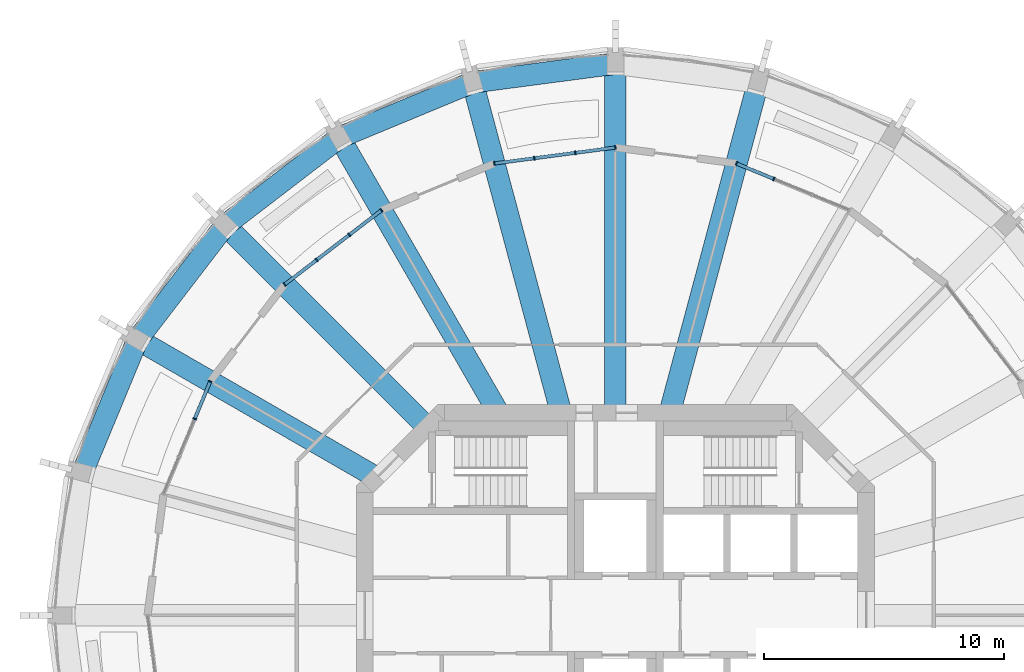
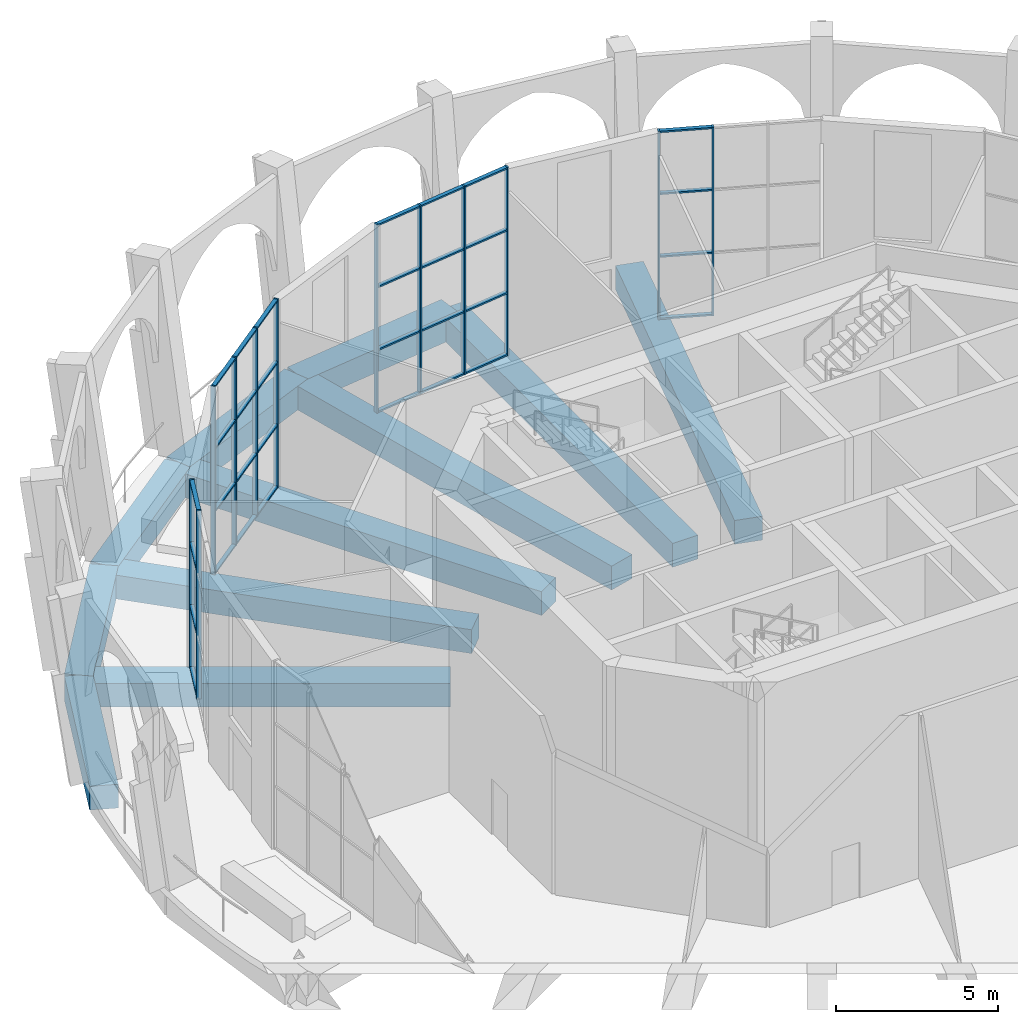
# One storey, part 5 of 16: 44 members, 11 beams, 4 elements without a shape of their own.
"""IFC4 building model written with IfcOpenShell, lengths in metres."""

import ifcopenshell
import ifcopenshell.guid

model = None  # the IFC model being written
_history = None  # IfcOwnerHistory: only IFC2X3 demands one
_inside = {}  # id of a spatial element -> (the spatial element, [elements in it])
_under = {}  # id of a project, library or spatial element -> (it, [spatial elements below it])
_declared = {}  # id of a project -> (the project, [libraries it declares])
_typed = {}  # id of a type object -> (the type object, [elements of that type])
_made_of = {}  # id of a material, layer set ... -> (it, [elements and type objects made of it])


def new_model(schema):
    """Start an empty IFC model of exactly this schema.

    Asked for "IFC4X3", IfcOpenShell would pick the latest addendum, in which some entities
    have other attributes; the version numbers below select the first issue.
    IFC2X3 requires an IfcOwnerHistory on every rooted entity: one is made here for all.
    """
    global model, _history
    if schema == "IFC4X3":
        model = ifcopenshell.file(schema_version=(4, 3, 0, 0))
    else:
        model = ifcopenshell.file(schema=schema)
    _inside.clear()
    _under.clear()
    _declared.clear()
    _typed.clear()
    _made_of.clear()
    _history = None
    if model.schema == "IFC2X3":
        org = make("IfcOrganization", Name="unknown")
        user = make(
            "IfcPersonAndOrganization",
            ThePerson=make("IfcPerson", FamilyName="unknown"),
            TheOrganization=org,
        )
        app = make(
            "IfcApplication",
            ApplicationDeveloper=org,
            Version="unknown",
            ApplicationFullName="unknown",
            ApplicationIdentifier="unknown",
        )
        _history = make(
            "IfcOwnerHistory",
            OwningUser=user,
            OwningApplication=app,
            ChangeAction="ADDED",
            CreationDate=0,
        )
    return model


def make(cls, **values):
    """One entity of the class cls with the attributes given. An attribute that is None is left unset."""
    return model.create_entity(
        cls, **{name: value for name, value in values.items() if value is not None}
    )


def rooted(cls, **values):
    """An entity with a GlobalId (a new one), such as an element, a storey or a relation."""
    return make(cls, GlobalId=ifcopenshell.guid.new(), OwnerHistory=_history, **values)


def si_unit(unit_type, name, prefix=None):
    """IfcSIUnit, for example si_unit("LENGTHUNIT", "METRE", prefix="MILLI")."""
    return make("IfcSIUnit", UnitType=unit_type, Prefix=prefix, Name=name)


def assignment(units):
    """IfcUnitAssignment: the units of a project."""
    return None if units is None else make("IfcUnitAssignment", Units=units)


def point(xyz):
    """IfcCartesianPoint."""
    return None if xyz is None else make("IfcCartesianPoint", Coordinates=xyz)


def direction(xyz):
    """IfcDirection."""
    return None if xyz is None else make("IfcDirection", DirectionRatios=xyz)


def frame(location, z_axis=None, x_axis=None):
    """IfcAxis2Placement3D, a coordinate frame: its origin and axes. An axis left out is left unset."""
    return make(
        "IfcAxis2Placement3D",
        Location=point(location),
        Axis=direction(z_axis),
        RefDirection=direction(x_axis),
    )


def frame_2d(location, x_axis=None):
    """IfcAxis2Placement2D, a coordinate frame in the plane: its origin and x axis."""
    return make(
        "IfcAxis2Placement2D", Location=point(location), RefDirection=direction(x_axis)
    )


def origin():
    """The frame at (0, 0, 0) with its axes left unset."""
    return frame((0.0, 0.0, 0.0))


def origin_2d():
    """The frame at (0, 0) in the plane with its x axis left unset."""
    return frame_2d((0.0, 0.0))


def place(relative_to, where):
    """IfcLocalPlacement: puts the frame where relative to a parent placement (None: the world)."""
    return make(
        "IfcLocalPlacement", PlacementRelTo=relative_to, RelativePlacement=where
    )


def context(
    kind, dimensions, precision=None, world=None, true_north=None, identifier=None
):
    """IfcGeometricRepresentationContext, for example the 3D "Model" context."""
    return make(
        "IfcGeometricRepresentationContext",
        ContextIdentifier=identifier,
        ContextType=kind,
        CoordinateSpaceDimension=dimensions,
        Precision=precision,
        WorldCoordinateSystem=world,
        TrueNorth=true_north,
    )


def subcontext(parent, identifier, kind, view, scale=None):
    """IfcGeometricRepresentationSubContext, for example "Body" below "Model"."""
    return make(
        "IfcGeometricRepresentationSubContext",
        ContextIdentifier=identifier,
        ContextType=kind,
        ParentContext=parent,
        TargetScale=scale,
        TargetView=view,
    )


def project(units=None, contexts=None):
    """IfcProject with its units and contexts."""
    return rooted(
        "IfcProject",
        Name="project",
        RepresentationContexts=contexts,
        UnitsInContext=assignment(units),
    )


def spatial(cls, under=None, at=None, **own):
    """A site, building, storey or space (cls), placed at a placement, below another one or the project."""
    s = rooted(cls, ObjectPlacement=at, **own)
    if under is not None:
        _under.setdefault(under.id(), (under, []))[1].append(s)
    return s


def profile(cls, at=None, kind="AREA", **sizes):
    """A parametric profile (cls). Its sizes go by their IFC names, for example OverallWidth=200.0."""
    return make(cls, ProfileType=kind, Position=at, **sizes)


def rectangle(**sizes):
    """IfcRectangleProfileDef."""
    return profile("IfcRectangleProfileDef", **sizes)


def extrude(swept, where, along, depth):
    """IfcExtrudedAreaSolid: the profile swept, set in the frame where, extruded along a direction by depth."""
    return make(
        "IfcExtrudedAreaSolid",
        SweptArea=swept,
        Position=where,
        ExtrudedDirection=direction(along),
        Depth=depth,
    )


def shape(context_of_items, identifier, shape_type, items):
    """IfcShapeRepresentation: the items that make up one representation, for example the "Body"."""
    return make(
        "IfcShapeRepresentation",
        ContextOfItems=context_of_items,
        RepresentationIdentifier=identifier,
        RepresentationType=shape_type,
        Items=items,
    )


def material(Name=None, Category=None):
    """IfcMaterial."""
    return make("IfcMaterial", Name=Name, Category=Category)


def material_profile(
    of_material, cross_section, Name=None, Category=None, Priority=None
):
    """IfcMaterialProfile: a cross section and its material."""
    return make(
        "IfcMaterialProfile",
        Name=Name,
        Material=of_material,
        Profile=cross_section,
        Priority=Priority,
        Category=Category,
    )


def profile_set(profiles, Name=None, composite=None):
    """IfcMaterialProfileSet."""
    return make(
        "IfcMaterialProfileSet",
        Name=Name,
        MaterialProfiles=profiles,
        CompositeProfile=composite,
    )


def made_of(thing, what):
    """Note that an element or type object is made of a material, layer set ...; save() writes the relation."""
    if what is not None:
        _made_of.setdefault(what.id(), (what, []))[1].append(thing)
    return thing


def type_object(cls, material=None, **own):
    """A type object (cls), such as IfcWallType, which elements share."""
    return made_of(rooted(cls, **own), material)


def element(
    cls,
    number,
    at=None,
    inside=None,
    cuts=None,
    type_object=None,
    material=None,
    context=None,
    identifier="Body",
    shape_type=None,
    held_by="IfcProductDefinitionShape",
    body=None,
    shapes=None,
    **own,
):
    """One element of the class cls, such as IfcWall. Its Tag is "e" and its number.

    at: its placement. inside: the storey or other place that contains it. cuts: it is an
    opening in that element (IfcRelVoidsElement). A single representation is given by context,
    identifier, shape_type and body (its items); several are given by shapes. held_by: the class
    of the entity that holds the representations. save() writes the other relations.
    """
    e = rooted(cls, Tag="e%d" % number, ObjectPlacement=at, **own)
    if body is not None:
        shapes = [shape(context, identifier, shape_type, body)]
    if shapes is not None:
        e.Representation = make(held_by, Representations=shapes)
    if inside is not None:
        _inside.setdefault(inside.id(), (inside, []))[1].append(e)
    if cuts is not None:
        rooted(
            "IfcRelVoidsElement", RelatingBuildingElement=cuts, RelatedOpeningElement=e
        )
    if type_object is not None:
        _typed.setdefault(type_object.id(), (type_object, []))[1].append(e)
    return made_of(e, material)


def aggregate(whole, parts):
    """IfcRelAggregates: a whole, such as a stair, and the parts it consists of."""
    return rooted("IfcRelAggregates", RelatingObject=whole, RelatedObjects=parts)


def save(model, path):
    """Write the relations noted so far, then the file.

    IfcRelAggregates (storeys below a building ...), IfcRelContainedInSpatialStructure (elements
    in a storey), IfcRelDefinesByType, IfcRelAssociatesMaterial and IfcRelDeclares: one each for
    every whole, place, type object, material and project.
    """
    for whole, parts in _under.values():
        aggregate(whole, parts)
    for where, things in _inside.values():
        rooted(
            "IfcRelContainedInSpatialStructure",
            RelatedElements=things,
            RelatingStructure=where,
        )
    for kind, things in _typed.values():
        rooted("IfcRelDefinesByType", RelatedObjects=things, RelatingType=kind)
    for what, things in _made_of.values():
        rooted("IfcRelAssociatesMaterial", RelatedObjects=things, RelatingMaterial=what)
    for by, libraries in _declared.values():
        rooted("IfcRelDeclares", RelatingContext=by, RelatedDefinitions=libraries)
    model.write(path)


model = new_model("IFC4")

# Units and contexts
model_context = context("Model", 3, precision=1e-05, world=origin(), true_north=direction((0.0, 1.0)))
body_context = subcontext(model_context, "Body", "Model", "MODEL_VIEW")
ifc_project = project(units=[si_unit("LENGTHUNIT", "METRE"), si_unit("AREAUNIT", "SQUARE_METRE"), si_unit("VOLUMEUNIT", "CUBIC_METRE"), si_unit("PLANEANGLEUNIT", "RADIAN"), si_unit("MASSUNIT", "GRAM", prefix="KILO")], contexts=[model_context])

# Site, building, storey
site_placement = place(None, origin())
site = spatial("IfcSite", under=ifc_project, at=site_placement, CompositionType="ELEMENT")
building_placement = place(site_placement, origin())
building = spatial("IfcBuilding", under=site, at=building_placement, Name="Torre Triforio", CompositionType="ELEMENT")
storey_placement = place(building_placement, frame((0.0, 0.0, 218.699951171875)))
storey = spatial("IfcBuildingStorey", under=building, at=storey_placement, Name="L50", CompositionType="ELEMENT", Elevation=218.699951171875)

# Curtain wall, members
ifc_material_1 = material(Name="Aluminium mullion and transom frame with clear laminated glass", Category="aluminium")
curtain_wall_type = type_object("IfcCurtainWallType", Name="Sky garden conservatory wall ECW3", PredefinedType="NOTDEFINED", material=ifc_material_1)
curtain_wall_1_placement = place(storey_placement, origin())
curtain_wall_1 = element("IfcCurtainWall", 1, at=curtain_wall_1_placement, inside=storey, type_object=curtain_wall_type, Name="Conservatory wall L50 bay 05", PredefinedType="NOTDEFINED")
ifc_material_2 = material(Name="Anodised aluminium extrusion", Category="aluminium")
ifc_material_profile_1 = material_profile(ifc_material_2, rectangle(XDim=0.159912109375, YDim=0.06005859375, at=origin_2d()), Name="ECW3 MULLION 60x160")
ifc_profile_set_1 = profile_set([ifc_material_profile_1], Name="Anodised aluminium extrusion")
member_type_1 = type_object("IfcMemberType", Name="ECW3 mullion 60 x 160", PredefinedType="MULLION", material=ifc_profile_set_1)
member_1_placement = place(storey_placement, frame((6.60546875, 18.18994140625, 0.0), z_axis=(0.0, 0.0, 1.0), x_axis=(-0.382684457334, -0.923879107955, 0.0)))
member_1 = element("IfcMember", 2, at=member_1_placement, type_object=member_type_1, Name="ECW3 mullion 3", PredefinedType="MULLION", context=body_context, shape_type="SweptSolid", body=[
    extrude(rectangle(XDim=0.159912109375, YDim=0.06005859375, at=origin_2d()), origin(), (0.0, 0.0, 1.0), 7.1201171875),
])
member_2_placement = place(storey_placement, frame((5.047119140625, 18.83544921875, 0.0), z_axis=(0.0, 0.0, 1.0), x_axis=(-0.382684457334, -0.923879107955, 0.0)))
member_2 = element("IfcMember", 3, at=member_2_placement, type_object=member_type_1, Name="ECW3 mullion 4", PredefinedType="MULLION", context=body_context, shape_type="SweptSolid", body=[
    extrude(rectangle(XDim=0.159912109375, YDim=0.06005859375, at=origin_2d()), origin(), (0.0, 0.0, 1.0), 7.1201171875),
])

curtain_wall_2_placement = place(storey_placement, origin())
curtain_wall_2 = element("IfcCurtainWall", 4, at=curtain_wall_2_placement, inside=storey, type_object=curtain_wall_type, Name="Conservatory wall L50 bay 07", PredefinedType="NOTDEFINED")
member_3_placement = place(storey_placement, frame((0.0, 19.5, 0.0), z_axis=(0.0, 0.0, 1.0), x_axis=(0.130531857834, -0.991444115465, 0.0)))
member_3 = element("IfcMember", 5, at=member_3_placement, type_object=member_type_1, Name="ECW3 mullion 1", PredefinedType="MULLION", context=body_context, shape_type="SweptSolid", body=[
    extrude(rectangle(XDim=0.159912109375, YDim=0.06005859375, at=origin_2d()), origin(), (0.0, 0.0, 1.0), 7.1201171875),
])
member_4_placement = place(storey_placement, frame((-1.67236328125, 19.27978515625, 0.0), z_axis=(0.0, 0.0, 1.0), x_axis=(0.130531857834, -0.991444115465, 0.0)))
member_4 = element("IfcMember", 6, at=member_4_placement, type_object=member_type_1, Name="ECW3 mullion 2", PredefinedType="MULLION", context=body_context, shape_type="SweptSolid", body=[
    extrude(rectangle(XDim=0.159912109375, YDim=0.06005859375, at=origin_2d()), origin(), (0.0, 0.0, 1.0), 7.1201171875),
])
member_5_placement = place(storey_placement, frame((-3.37451171875, 19.0556640625, 0.0), z_axis=(0.0, 0.0, 1.0), x_axis=(0.130531857834, -0.991444115465, 0.0)))
member_5 = element("IfcMember", 7, at=member_5_placement, type_object=member_type_1, Name="ECW3 mullion 3", PredefinedType="MULLION", context=body_context, shape_type="SweptSolid", body=[
    extrude(rectangle(XDim=0.159912109375, YDim=0.06005859375, at=origin_2d()), origin(), (0.0, 0.0, 1.0), 7.1201171875),
])
member_6_placement = place(storey_placement, frame((-5.046875, 18.83544921875, 0.0), z_axis=(0.0, 0.0, 1.0), x_axis=(0.130531857834, -0.991444115465, 0.0)))
member_6 = element("IfcMember", 8, at=member_6_placement, type_object=member_type_1, Name="ECW3 mullion 4", PredefinedType="MULLION", context=body_context, shape_type="SweptSolid", body=[
    extrude(rectangle(XDim=0.159912109375, YDim=0.06005859375, at=origin_2d()), origin(), (0.0, 0.0, 1.0), 7.1201171875),
])

curtain_wall_3_placement = place(storey_placement, origin())
curtain_wall_3 = element("IfcCurtainWall", 9, at=curtain_wall_3_placement, inside=storey, type_object=curtain_wall_type, Name="Conservatory wall L50 bay 09", PredefinedType="NOTDEFINED")
member_7_placement = place(storey_placement, frame((-9.75, 16.887451171875, 0.0), z_axis=(0.0, 0.0, 1.0), x_axis=(0.608767351111, -0.793348796067, 0.0)))
member_7 = element("IfcMember", 10, at=member_7_placement, type_object=member_type_1, Name="ECW3 mullion 1", PredefinedType="MULLION", context=body_context, shape_type="SweptSolid", body=[
    extrude(rectangle(XDim=0.159912109375, YDim=0.06005859375, at=origin_2d()), origin(), (0.0, 0.0, 1.0), 7.1201171875),
])
member_8_placement = place(storey_placement, frame((-11.08837890625, 15.860595703125, 0.0), z_axis=(0.0, 0.0, 1.0), x_axis=(0.608767351111, -0.793348796067, 0.0)))
member_8 = element("IfcMember", 11, at=member_8_placement, type_object=member_type_1, Name="ECW3 mullion 2", PredefinedType="MULLION", context=body_context, shape_type="SweptSolid", body=[
    extrude(rectangle(XDim=0.159912109375, YDim=0.06005859375, at=origin_2d()), origin(), (0.0, 0.0, 1.0), 7.1201171875),
])
member_9_placement = place(storey_placement, frame((-12.450439453125, 14.8154296875, 0.0), z_axis=(0.0, 0.0, 1.0), x_axis=(0.608767351111, -0.793348796067, 0.0)))
member_9 = element("IfcMember", 12, at=member_9_placement, type_object=member_type_1, Name="ECW3 mullion 3", PredefinedType="MULLION", context=body_context, shape_type="SweptSolid", body=[
    extrude(rectangle(XDim=0.159912109375, YDim=0.06005859375, at=origin_2d()), origin(), (0.0, 0.0, 1.0), 7.1201171875),
])
member_10_placement = place(storey_placement, frame((-13.78857421875, 13.78857421875, 0.0), z_axis=(0.0, 0.0, 1.0), x_axis=(0.608767351111, -0.793348796067, 0.0)))
member_10 = element("IfcMember", 13, at=member_10_placement, type_object=member_type_1, Name="ECW3 mullion 4", PredefinedType="MULLION", context=body_context, shape_type="SweptSolid", body=[
    extrude(rectangle(XDim=0.159912109375, YDim=0.06005859375, at=origin_2d()), origin(), (0.0, 0.0, 1.0), 7.1201171875),
])

curtain_wall_4_placement = place(storey_placement, origin())
curtain_wall_4 = element("IfcCurtainWall", 14, at=curtain_wall_4_placement, inside=storey, type_object=curtain_wall_type, Name="Conservatory wall L50 bay 11", PredefinedType="NOTDEFINED")
member_11_placement = place(storey_placement, frame((-16.887451171875, 9.75, 0.0), z_axis=(0.0, 0.0, 1.0), x_axis=(0.923879107955, -0.382684457334, 0.0)))
member_11 = element("IfcMember", 15, at=member_11_placement, type_object=member_type_1, Name="ECW3 mullion 1", PredefinedType="MULLION", context=body_context, shape_type="SweptSolid", body=[
    extrude(rectangle(XDim=0.159912109375, YDim=0.06005859375, at=origin_2d()), origin(), (0.0, 0.0, 1.0), 7.1201171875),
])
member_12_placement = place(storey_placement, frame((-17.532958984375, 8.191650390625, 0.0), z_axis=(0.0, 0.0, 1.0), x_axis=(0.923879107955, -0.382684457334, 0.0)))
member_12 = element("IfcMember", 16, at=member_12_placement, type_object=member_type_1, Name="ECW3 mullion 2", PredefinedType="MULLION", context=body_context, shape_type="SweptSolid", body=[
    extrude(rectangle(XDim=0.159912109375, YDim=0.06005859375, at=origin_2d()), origin(), (0.0, 0.0, 1.0), 7.1201171875),
])

# Member
ifc_material_profile_2 = material_profile(ifc_material_2, rectangle(XDim=0.139892578125, YDim=0.06005859375, at=origin_2d()), Name="ECW3 TRANSOM 60x140")
ifc_profile_set_2 = profile_set([ifc_material_profile_2], Name="Anodised aluminium extrusion")
member_type_2 = type_object("IfcMemberType", Name="ECW3 transom 60 x 140", PredefinedType="USERDEFINED", material=ifc_profile_set_2)
member_13_placement = place(storey_placement, frame((6.57763671875, 18.201416015625, 0.030029296875), z_axis=(-0.923874156886, 0.382696410016, 0.0), x_axis=(-0.382696410016, -0.923874156886, 0.0)))
member_13 = element("IfcMember", 17, at=member_13_placement, type_object=member_type_2, Name="ECW3 transom 3.1", ObjectType="TRANSOM", PredefinedType="USERDEFINED", context=body_context, shape_type="SweptSolid", body=[
    extrude(rectangle(XDim=0.139892578125, YDim=0.06005859375, at=origin_2d()), origin(), (0.0, 0.0, 1.0), 1.626708984375),
])

member_14_placement = place(storey_placement, frame((6.57763671875, 18.201416015625, 2.373291015625), z_axis=(-0.923874156886, 0.382696410016, 0.0), x_axis=(-0.382696410016, -0.923874156886, 0.0)))
member_14 = element("IfcMember", 18, at=member_14_placement, type_object=member_type_2, Name="ECW3 transom 3.2", ObjectType="TRANSOM", PredefinedType="USERDEFINED", context=body_context, shape_type="SweptSolid", body=[
    extrude(rectangle(XDim=0.139892578125, YDim=0.06005859375, at=origin_2d()), origin(), (0.0, 0.0, 1.0), 1.626708984375),
])

member_15_placement = place(storey_placement, frame((6.57763671875, 18.201416015625, 4.746826171875), z_axis=(-0.923874156886, 0.382696410016, 0.0), x_axis=(-0.382696410016, -0.923874156886, 0.0)))
member_15 = element("IfcMember", 19, at=member_15_placement, type_object=member_type_2, Name="ECW3 transom 3.3", ObjectType="TRANSOM", PredefinedType="USERDEFINED", context=body_context, shape_type="SweptSolid", body=[
    extrude(rectangle(XDim=0.139892578125, YDim=0.06005859375, at=origin_2d()), origin(), (0.0, 0.0, 1.0), 1.626708984375),
])

member_16_placement = place(storey_placement, frame((6.57763671875, 18.201416015625, 7.090087890625), z_axis=(-0.923874156886, 0.382696410016, 0.0), x_axis=(-0.382696410016, -0.923874156886, 0.0)))
member_16 = element("IfcMember", 20, at=member_16_placement, type_object=member_type_2, Name="ECW3 transom 3.4", ObjectType="TRANSOM", PredefinedType="USERDEFINED", context=body_context, shape_type="SweptSolid", body=[
    extrude(rectangle(XDim=0.139892578125, YDim=0.06005859375, at=origin_2d()), origin(), (0.0, 0.0, 1.0), 1.626708984375),
])

aggregate(curtain_wall_1, [member_1, member_2, member_13, member_14, member_15, member_16])

member_17_placement = place(storey_placement, frame((-0.02978515625, 19.49609375, 0.030029296875), z_axis=(-0.991438963829, -0.130570980704, 0.0), x_axis=(0.130570980704, -0.991438963829, 0.0)))
member_17 = element("IfcMember", 21, at=member_17_placement, type_object=member_type_2, Name="ECW3 transom 1.1", ObjectType="TRANSOM", PredefinedType="USERDEFINED", context=body_context, shape_type="SweptSolid", body=[
    extrude(rectangle(XDim=0.139892578125, YDim=0.06005859375, at=origin_2d()), origin(), (0.0, 0.0, 1.0), 1.626708984375),
])

member_18_placement = place(storey_placement, frame((-0.02978515625, 19.49609375, 2.373291015625), z_axis=(-0.991438963829, -0.130570980704, 0.0), x_axis=(0.130570980704, -0.991438963829, 0.0)))
member_18 = element("IfcMember", 22, at=member_18_placement, type_object=member_type_2, Name="ECW3 transom 1.2", ObjectType="TRANSOM", PredefinedType="USERDEFINED", context=body_context, shape_type="SweptSolid", body=[
    extrude(rectangle(XDim=0.139892578125, YDim=0.06005859375, at=origin_2d()), origin(), (0.0, 0.0, 1.0), 1.626708984375),
])

member_19_placement = place(storey_placement, frame((-0.02978515625, 19.49609375, 4.746826171875), z_axis=(-0.991438963829, -0.130570980704, 0.0), x_axis=(0.130570980704, -0.991438963829, 0.0)))
member_19 = element("IfcMember", 23, at=member_19_placement, type_object=member_type_2, Name="ECW3 transom 1.3", ObjectType="TRANSOM", PredefinedType="USERDEFINED", context=body_context, shape_type="SweptSolid", body=[
    extrude(rectangle(XDim=0.139892578125, YDim=0.06005859375, at=origin_2d()), origin(), (0.0, 0.0, 1.0), 1.626708984375),
])

member_20_placement = place(storey_placement, frame((-0.02978515625, 19.49609375, 7.090087890625), z_axis=(-0.991438963829, -0.130570980704, 0.0), x_axis=(0.130570980704, -0.991438963829, 0.0)))
member_20 = element("IfcMember", 24, at=member_20_placement, type_object=member_type_2, Name="ECW3 transom 1.4", ObjectType="TRANSOM", PredefinedType="USERDEFINED", context=body_context, shape_type="SweptSolid", body=[
    extrude(rectangle(XDim=0.139892578125, YDim=0.06005859375, at=origin_2d()), origin(), (0.0, 0.0, 1.0), 1.626708984375),
])

member_21_placement = place(storey_placement, frame((-1.7021484375, 19.27587890625, 0.030029296875), z_axis=(-0.991440245927, -0.130561245228, 0.0), x_axis=(0.130561245228, -0.991440245927, 0.0)))
member_21 = element("IfcMember", 25, at=member_21_placement, type_object=member_type_2, Name="ECW3 transom 2.1", ObjectType="TRANSOM", PredefinedType="USERDEFINED", context=body_context, shape_type="SweptSolid", body=[
    extrude(rectangle(XDim=0.139892578125, YDim=0.06005859375, at=origin_2d()), origin(), (0.0, 0.0, 1.0), 1.65673828125),
])

member_22_placement = place(storey_placement, frame((-1.7021484375, 19.27587890625, 2.373291015625), z_axis=(-0.991440245927, -0.130561245228, 0.0), x_axis=(0.130561245228, -0.991440245927, 0.0)))
member_22 = element("IfcMember", 26, at=member_22_placement, type_object=member_type_2, Name="ECW3 transom 2.2", ObjectType="TRANSOM", PredefinedType="USERDEFINED", context=body_context, shape_type="SweptSolid", body=[
    extrude(rectangle(XDim=0.139892578125, YDim=0.06005859375, at=origin_2d()), origin(), (0.0, 0.0, 1.0), 1.65673828125),
])

member_23_placement = place(storey_placement, frame((-1.7021484375, 19.27587890625, 4.746826171875), z_axis=(-0.991440245927, -0.130561245228, 0.0), x_axis=(0.130561245228, -0.991440245927, 0.0)))
member_23 = element("IfcMember", 27, at=member_23_placement, type_object=member_type_2, Name="ECW3 transom 2.3", ObjectType="TRANSOM", PredefinedType="USERDEFINED", context=body_context, shape_type="SweptSolid", body=[
    extrude(rectangle(XDim=0.139892578125, YDim=0.06005859375, at=origin_2d()), origin(), (0.0, 0.0, 1.0), 1.65673828125),
])

member_24_placement = place(storey_placement, frame((-1.7021484375, 19.27587890625, 7.090087890625), z_axis=(-0.991440245927, -0.130561245228, 0.0), x_axis=(0.130561245228, -0.991440245927, 0.0)))
member_24 = element("IfcMember", 28, at=member_24_placement, type_object=member_type_2, Name="ECW3 transom 2.4", ObjectType="TRANSOM", PredefinedType="USERDEFINED", context=body_context, shape_type="SweptSolid", body=[
    extrude(rectangle(XDim=0.139892578125, YDim=0.06005859375, at=origin_2d()), origin(), (0.0, 0.0, 1.0), 1.65673828125),
])

member_25_placement = place(storey_placement, frame((-3.404296875, 19.0517578125, 0.030029296875), z_axis=(-0.991441521966, -0.130551555034, 0.0), x_axis=(0.130551555034, -0.991441521966, 0.0)))
member_25 = element("IfcMember", 29, at=member_25_placement, type_object=member_type_2, Name="ECW3 transom 3.1", ObjectType="TRANSOM", PredefinedType="USERDEFINED", context=body_context, shape_type="SweptSolid", body=[
    extrude(rectangle(XDim=0.139892578125, YDim=0.06005859375, at=origin_2d()), origin(), (0.0, 0.0, 1.0), 1.626953125),
])

member_26_placement = place(storey_placement, frame((-3.404296875, 19.0517578125, 2.373291015625), z_axis=(-0.991441521966, -0.130551555034, 0.0), x_axis=(0.130551555034, -0.991441521966, 0.0)))
member_26 = element("IfcMember", 30, at=member_26_placement, type_object=member_type_2, Name="ECW3 transom 3.2", ObjectType="TRANSOM", PredefinedType="USERDEFINED", context=body_context, shape_type="SweptSolid", body=[
    extrude(rectangle(XDim=0.139892578125, YDim=0.06005859375, at=origin_2d()), origin(), (0.0, 0.0, 1.0), 1.626953125),
])

member_27_placement = place(storey_placement, frame((-3.404296875, 19.0517578125, 4.746826171875), z_axis=(-0.991441521966, -0.130551555034, 0.0), x_axis=(0.130551555034, -0.991441521966, 0.0)))
member_27 = element("IfcMember", 31, at=member_27_placement, type_object=member_type_2, Name="ECW3 transom 3.3", ObjectType="TRANSOM", PredefinedType="USERDEFINED", context=body_context, shape_type="SweptSolid", body=[
    extrude(rectangle(XDim=0.139892578125, YDim=0.06005859375, at=origin_2d()), origin(), (0.0, 0.0, 1.0), 1.626953125),
])

member_28_placement = place(storey_placement, frame((-3.404296875, 19.0517578125, 7.090087890625), z_axis=(-0.991441521966, -0.130551555034, 0.0), x_axis=(0.130551555034, -0.991441521966, 0.0)))
member_28 = element("IfcMember", 32, at=member_28_placement, type_object=member_type_2, Name="ECW3 transom 3.4", ObjectType="TRANSOM", PredefinedType="USERDEFINED", context=body_context, shape_type="SweptSolid", body=[
    extrude(rectangle(XDim=0.139892578125, YDim=0.06005859375, at=origin_2d()), origin(), (0.0, 0.0, 1.0), 1.626953125),
])

aggregate(curtain_wall_2, [member_3, member_4, member_5, member_6, member_17, member_18, member_19, member_20, member_21, member_22, member_23, member_24, member_25, member_26, member_27, member_28])

member_29_placement = place(storey_placement, frame((-9.773681640625, 16.869384765625, 0.030029296875), z_axis=(-0.793343033717, -0.608774860562, 0.0), x_axis=(0.608774860562, -0.793343033717, 0.0)))
member_29 = element("IfcMember", 33, at=member_29_placement, type_object=member_type_2, Name="ECW3 transom 1.1", ObjectType="TRANSOM", PredefinedType="USERDEFINED", context=body_context, shape_type="SweptSolid", body=[
    extrude(rectangle(XDim=0.139892578125, YDim=0.06005859375, at=origin_2d()), origin(), (0.0, 0.0, 1.0), 1.626953125),
])

member_30_placement = place(storey_placement, frame((-9.773681640625, 16.869384765625, 2.373291015625), z_axis=(-0.793343033717, -0.608774860562, 0.0), x_axis=(0.608774860562, -0.793343033717, 0.0)))
member_30 = element("IfcMember", 34, at=member_30_placement, type_object=member_type_2, Name="ECW3 transom 1.2", ObjectType="TRANSOM", PredefinedType="USERDEFINED", context=body_context, shape_type="SweptSolid", body=[
    extrude(rectangle(XDim=0.139892578125, YDim=0.06005859375, at=origin_2d()), origin(), (0.0, 0.0, 1.0), 1.626953125),
])

member_31_placement = place(storey_placement, frame((-9.773681640625, 16.869384765625, 4.746826171875), z_axis=(-0.793343033717, -0.608774860562, 0.0), x_axis=(0.608774860562, -0.793343033717, 0.0)))
member_31 = element("IfcMember", 35, at=member_31_placement, type_object=member_type_2, Name="ECW3 transom 1.3", ObjectType="TRANSOM", PredefinedType="USERDEFINED", context=body_context, shape_type="SweptSolid", body=[
    extrude(rectangle(XDim=0.139892578125, YDim=0.06005859375, at=origin_2d()), origin(), (0.0, 0.0, 1.0), 1.626953125),
])

member_32_placement = place(storey_placement, frame((-9.773681640625, 16.869384765625, 7.090087890625), z_axis=(-0.793343033717, -0.608774860562, 0.0), x_axis=(0.608774860562, -0.793343033717, 0.0)))
member_32 = element("IfcMember", 36, at=member_32_placement, type_object=member_type_2, Name="ECW3 transom 1.4", ObjectType="TRANSOM", PredefinedType="USERDEFINED", context=body_context, shape_type="SweptSolid", body=[
    extrude(rectangle(XDim=0.139892578125, YDim=0.06005859375, at=origin_2d()), origin(), (0.0, 0.0, 1.0), 1.626953125),
])

member_33_placement = place(storey_placement, frame((-11.112060546875, 15.84228515625, 0.030029296875), z_axis=(-0.793373872129, -0.608734670462, 0.0), x_axis=(0.608734670462, -0.793373872129, 0.0)))
member_33 = element("IfcMember", 37, at=member_33_placement, type_object=member_type_2, Name="ECW3 transom 2.1", ObjectType="TRANSOM", PredefinedType="USERDEFINED", context=body_context, shape_type="SweptSolid", body=[
    extrude(rectangle(XDim=0.139892578125, YDim=0.06005859375, at=origin_2d()), origin(), (0.0, 0.0, 1.0), 1.65673828125),
])

member_34_placement = place(storey_placement, frame((-11.112060546875, 15.84228515625, 2.373291015625), z_axis=(-0.793373872129, -0.608734670462, 0.0), x_axis=(0.608734670462, -0.793373872129, 0.0)))
member_34 = element("IfcMember", 38, at=member_34_placement, type_object=member_type_2, Name="ECW3 transom 2.2", ObjectType="TRANSOM", PredefinedType="USERDEFINED", context=body_context, shape_type="SweptSolid", body=[
    extrude(rectangle(XDim=0.139892578125, YDim=0.06005859375, at=origin_2d()), origin(), (0.0, 0.0, 1.0), 1.65673828125),
])

member_35_placement = place(storey_placement, frame((-11.112060546875, 15.84228515625, 4.746826171875), z_axis=(-0.793373872129, -0.608734670462, 0.0), x_axis=(0.608734670462, -0.793373872129, 0.0)))
member_35 = element("IfcMember", 39, at=member_35_placement, type_object=member_type_2, Name="ECW3 transom 2.3", ObjectType="TRANSOM", PredefinedType="USERDEFINED", context=body_context, shape_type="SweptSolid", body=[
    extrude(rectangle(XDim=0.139892578125, YDim=0.06005859375, at=origin_2d()), origin(), (0.0, 0.0, 1.0), 1.65673828125),
])

member_36_placement = place(storey_placement, frame((-11.112060546875, 15.84228515625, 7.090087890625), z_axis=(-0.793373872129, -0.608734670462, 0.0), x_axis=(0.608734670462, -0.793373872129, 0.0)))
member_36 = element("IfcMember", 40, at=member_36_placement, type_object=member_type_2, Name="ECW3 transom 2.4", ObjectType="TRANSOM", PredefinedType="USERDEFINED", context=body_context, shape_type="SweptSolid", body=[
    extrude(rectangle(XDim=0.139892578125, YDim=0.06005859375, at=origin_2d()), origin(), (0.0, 0.0, 1.0), 1.65673828125),
])

member_37_placement = place(storey_placement, frame((-12.47412109375, 14.797119140625, 0.030029296875), z_axis=(-0.793415506578, -0.60868040376, 0.0), x_axis=(0.60868040376, -0.793415506578, 0.0)))
member_37 = element("IfcMember", 41, at=member_37_placement, type_object=member_type_2, Name="ECW3 transom 3.1", ObjectType="TRANSOM", PredefinedType="USERDEFINED", context=body_context, shape_type="SweptSolid", body=[
    extrude(rectangle(XDim=0.139892578125, YDim=0.06005859375, at=origin_2d()), origin(), (0.0, 0.0, 1.0), 1.626953125),
])

member_38_placement = place(storey_placement, frame((-12.47412109375, 14.797119140625, 2.373291015625), z_axis=(-0.793415506578, -0.60868040376, 0.0), x_axis=(0.60868040376, -0.793415506578, 0.0)))
member_38 = element("IfcMember", 42, at=member_38_placement, type_object=member_type_2, Name="ECW3 transom 3.2", ObjectType="TRANSOM", PredefinedType="USERDEFINED", context=body_context, shape_type="SweptSolid", body=[
    extrude(rectangle(XDim=0.139892578125, YDim=0.06005859375, at=origin_2d()), origin(), (0.0, 0.0, 1.0), 1.626953125),
])

member_39_placement = place(storey_placement, frame((-12.47412109375, 14.797119140625, 4.746826171875), z_axis=(-0.793415506578, -0.60868040376, 0.0), x_axis=(0.60868040376, -0.793415506578, 0.0)))
member_39 = element("IfcMember", 43, at=member_39_placement, type_object=member_type_2, Name="ECW3 transom 3.3", ObjectType="TRANSOM", PredefinedType="USERDEFINED", context=body_context, shape_type="SweptSolid", body=[
    extrude(rectangle(XDim=0.139892578125, YDim=0.06005859375, at=origin_2d()), origin(), (0.0, 0.0, 1.0), 1.626953125),
])

member_40_placement = place(storey_placement, frame((-12.47412109375, 14.797119140625, 7.090087890625), z_axis=(-0.793415506578, -0.60868040376, 0.0), x_axis=(0.60868040376, -0.793415506578, 0.0)))
member_40 = element("IfcMember", 44, at=member_40_placement, type_object=member_type_2, Name="ECW3 transom 3.4", ObjectType="TRANSOM", PredefinedType="USERDEFINED", context=body_context, shape_type="SweptSolid", body=[
    extrude(rectangle(XDim=0.139892578125, YDim=0.06005859375, at=origin_2d()), origin(), (0.0, 0.0, 1.0), 1.626953125),
])

aggregate(curtain_wall_3, [member_7, member_8, member_9, member_10, member_29, member_30, member_31, member_32, member_33, member_34, member_35, member_36, member_37, member_38, member_39, member_40])

member_41_placement = place(storey_placement, frame((-16.89892578125, 9.72216796875, 0.030029296875), z_axis=(-0.382696410016, -0.923874156886, 0.0), x_axis=(0.923874156886, -0.382696410016, 0.0)))
member_41 = element("IfcMember", 45, at=member_41_placement, type_object=member_type_2, Name="ECW3 transom 1.1", ObjectType="TRANSOM", PredefinedType="USERDEFINED", context=body_context, shape_type="SweptSolid", body=[
    extrude(rectangle(XDim=0.139892578125, YDim=0.06005859375, at=origin_2d()), origin(), (0.0, 0.0, 1.0), 1.626708984375),
])

member_42_placement = place(storey_placement, frame((-16.89892578125, 9.72216796875, 2.373291015625), z_axis=(-0.382696410016, -0.923874156886, 0.0), x_axis=(0.923874156886, -0.382696410016, 0.0)))
member_42 = element("IfcMember", 46, at=member_42_placement, type_object=member_type_2, Name="ECW3 transom 1.2", ObjectType="TRANSOM", PredefinedType="USERDEFINED", context=body_context, shape_type="SweptSolid", body=[
    extrude(rectangle(XDim=0.139892578125, YDim=0.06005859375, at=origin_2d()), origin(), (0.0, 0.0, 1.0), 1.626708984375),
])

member_43_placement = place(storey_placement, frame((-16.89892578125, 9.72216796875, 4.746826171875), z_axis=(-0.382696410016, -0.923874156886, 0.0), x_axis=(0.923874156886, -0.382696410016, 0.0)))
member_43 = element("IfcMember", 47, at=member_43_placement, type_object=member_type_2, Name="ECW3 transom 1.3", ObjectType="TRANSOM", PredefinedType="USERDEFINED", context=body_context, shape_type="SweptSolid", body=[
    extrude(rectangle(XDim=0.139892578125, YDim=0.06005859375, at=origin_2d()), origin(), (0.0, 0.0, 1.0), 1.626708984375),
])

member_44_placement = place(storey_placement, frame((-16.89892578125, 9.72216796875, 7.090087890625), z_axis=(-0.382696410016, -0.923874156886, 0.0), x_axis=(0.923874156886, -0.382696410016, 0.0)))
member_44 = element("IfcMember", 48, at=member_44_placement, type_object=member_type_2, Name="ECW3 transom 1.4", ObjectType="TRANSOM", PredefinedType="USERDEFINED", context=body_context, shape_type="SweptSolid", body=[
    extrude(rectangle(XDim=0.139892578125, YDim=0.06005859375, at=origin_2d()), origin(), (0.0, 0.0, 1.0), 1.626708984375),
])

aggregate(curtain_wall_4, [member_11, member_12, member_41, member_42, member_43, member_44])

# Beams
ifc_material_3 = material(Name="Concrete C40", Category="concrete")
ifc_material_profile_3 = material_profile(ifc_material_3, rectangle(XDim=0.89990234375, YDim=0.89990234375, at=origin_2d()), Name="RC 900x900")
ifc_profile_set_3 = profile_set([ifc_material_profile_3], Name="Concrete C40")
beam_type_1 = type_object("IfcBeamType", Name="Radial beam RC 900x900 C40", PredefinedType="BEAM", material=ifc_profile_set_3)
beam_1_placement = place(storey_placement, frame((2.26416015625, 8.449951171875, -0.72998046875), z_axis=(0.258821424719, 0.96592518867, 0.0), x_axis=(-0.96592518867, 0.258821424719, 0.0)))
element("IfcBeam", 49, at=beam_1_placement, inside=storey, type_object=beam_type_1, Name="BM.R.L50.05", PredefinedType="BEAM", context=body_context, shape_type="SweptSolid", body=[
    extrude(rectangle(XDim=0.89990234375, YDim=0.89990234375, at=origin_2d()), origin(), (0.0, 0.0, 1.0), 14.251953125),
])
beam_2_placement = place(storey_placement, frame((0.0, 8.449951171875, -0.72998046875), z_axis=(0.0, 1.0, 0.0), x_axis=(-1.0, 0.0, 0.0)))
element("IfcBeam", 50, at=beam_2_placement, inside=storey, type_object=beam_type_1, Name="BM.R.L50.06", PredefinedType="BEAM", context=body_context, shape_type="SweptSolid", body=[
    extrude(rectangle(XDim=0.89990234375, YDim=0.89990234375, at=origin_2d()), origin(), (0.0, 0.0, 1.0), 14.550048828125),
])
beam_3_placement = place(storey_placement, frame((-2.26416015625, 8.449951171875, -0.72998046875), z_axis=(-0.258821424719, 0.96592518867, 0.0), x_axis=(-0.96592518867, -0.258821424719, 0.0)))
element("IfcBeam", 51, at=beam_3_placement, inside=storey, type_object=beam_type_1, Name="BM.R.L50.07", PredefinedType="BEAM", context=body_context, shape_type="SweptSolid", body=[
    extrude(rectangle(XDim=0.89990234375, YDim=0.89990234375, at=origin_2d()), origin(), (0.0, 0.0, 1.0), 14.251953125),
])
beam_4_placement = place(storey_placement, frame((-4.878662109375, 8.449951171875, -0.72998046875), z_axis=(-0.499991617607, 0.866030243307, 0.0), x_axis=(-0.866030243307, -0.499991617607, 0.0)))
element("IfcBeam", 52, at=beam_4_placement, inside=storey, type_object=beam_type_1, Name="BM.R.L50.08", PredefinedType="BEAM", context=body_context, shape_type="SweptSolid", body=[
    extrude(rectangle(XDim=0.89990234375, YDim=0.89990234375, at=origin_2d()), origin(), (0.0, 0.0, 1.0), 13.242919921875),
])
beam_5_placement = place(storey_placement, frame((-7.847412109375, 7.847412109375, -0.72998046875), z_axis=(-0.707106781187, 0.707106781187, 0.0), x_axis=(-0.707106781187, -0.707106781187, 0.0)))
element("IfcBeam", 53, at=beam_5_placement, inside=storey, type_object=beam_type_1, Name="BM.R.L50.09", PredefinedType="BEAM", context=body_context, shape_type="SweptSolid", body=[
    extrude(rectangle(XDim=0.89990234375, YDim=0.89990234375, at=origin_2d()), origin(), (0.0, 0.0, 1.0), 11.902099609375),
])
beam_6_placement = place(storey_placement, frame((-9.9501953125, 5.744873046875, -0.72998046875), z_axis=(-0.866032648629, 0.499987451351, 0.0), x_axis=(-0.499987451351, -0.866032648629, 0.0)))
element("IfcBeam", 54, at=beam_6_placement, inside=storey, type_object=beam_type_1, Name="BM.R.L50.10", PredefinedType="BEAM", context=body_context, shape_type="SweptSolid", body=[
    extrude(rectangle(XDim=0.89990234375, YDim=0.89990234375, at=origin_2d()), origin(), (0.0, 0.0, 1.0), 11.510498046875),
])
ifc_material_profile_4 = material_profile(ifc_material_3, rectangle(XDim=0.89990234375, YDim=0.89990234375, at=origin_2d()), Name="RC 900x900")
ifc_profile_set_4 = profile_set([ifc_material_profile_4], Name="Concrete C40")
beam_type_2 = type_object("IfcBeamType", Name="Spandrel beam RC 900x900 C40", PredefinedType="SPANDREL", material=ifc_profile_set_4)
for number, where, z_axis, x_axis, name in (
    (55, (0.0, 23.0, -0.72998046875), (-0.991445297315, -0.130522880875, 0.0), (0.130522880875, -0.991445297315, 0.0), "BM.S.L50.06"),
    (56, (-5.952880859375, 22.21630859375, -0.72998046875), (-0.923884511653, -0.382671411433, 0.0), (0.382671411433, -0.923884511653, 0.0), "BM.S.L50.07"),
    (57, (-11.5, 19.918701171875, -0.72998046875), (-0.793339924758, -0.608778912074, 0.0), (0.608778912074, -0.793339924758, 0.0), "BM.S.L50.08"),
    (58, (-16.263427734375, 16.263427734375, -0.72998046875), (-0.608778912074, -0.793339924758, 0.0), (0.793339924758, -0.608778912074, 0.0), "BM.S.L50.09"),
    (59, (-19.918701171875, 11.5, -0.72998046875), (-0.382671411433, -0.923884511653, 0.0), (0.923884511653, -0.382671411433, 0.0), "BM.S.L50.10"),
):
    element("IfcBeam", number, at=place(storey_placement, frame(where, z_axis=z_axis, x_axis=x_axis)), inside=storey, type_object=beam_type_2, Name=name, PredefinedType="SPANDREL", context=body_context, shape_type="SweptSolid", body=[
        extrude(rectangle(XDim=0.89990234375, YDim=0.89990234375, at=origin_2d()), origin(), (0.0, 0.0, 1.0), 6.004150390625),
    ])

save(model, "model.ifc")
